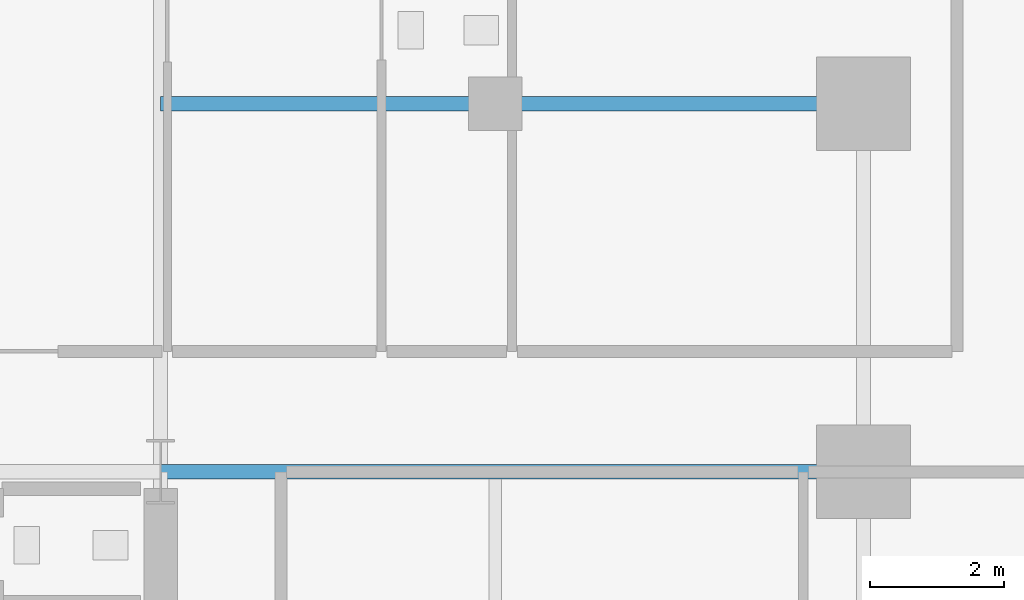
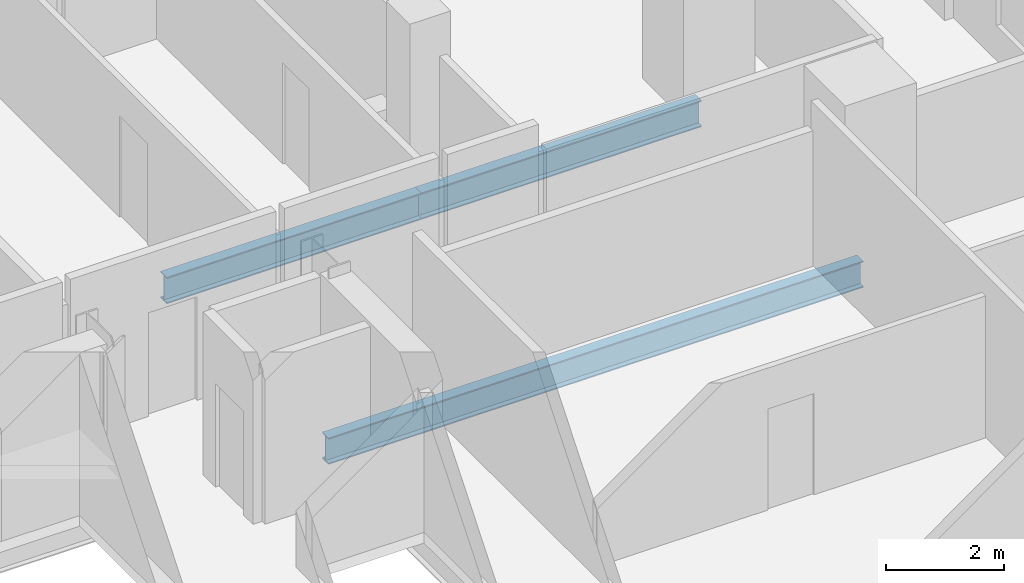
# One storey, part 14 of 23: 3 beams.
"""IFC4 building model written with IfcOpenShell, lengths in metres."""

import ifcopenshell
import ifcopenshell.guid

model = None  # the IFC model being written
_history = None  # IfcOwnerHistory: only IFC2X3 demands one
_inside = {}  # id of a spatial element -> (the spatial element, [elements in it])
_under = {}  # id of a project, library or spatial element -> (it, [spatial elements below it])
_declared = {}  # id of a project -> (the project, [libraries it declares])
_typed = {}  # id of a type object -> (the type object, [elements of that type])
_made_of = {}  # id of a material, layer set ... -> (it, [elements and type objects made of it])


def new_model(schema):
    """Start an empty IFC model of exactly this schema.

    Asked for "IFC4X3", IfcOpenShell would pick the latest addendum, in which some entities
    have other attributes; the version numbers below select the first issue.
    IFC2X3 requires an IfcOwnerHistory on every rooted entity: one is made here for all.
    """
    global model, _history
    if schema == "IFC4X3":
        model = ifcopenshell.file(schema_version=(4, 3, 0, 0))
    else:
        model = ifcopenshell.file(schema=schema)
    _inside.clear()
    _under.clear()
    _declared.clear()
    _typed.clear()
    _made_of.clear()
    _history = None
    if model.schema == "IFC2X3":
        org = make("IfcOrganization", Name="unknown")
        user = make(
            "IfcPersonAndOrganization",
            ThePerson=make("IfcPerson", FamilyName="unknown"),
            TheOrganization=org,
        )
        app = make(
            "IfcApplication",
            ApplicationDeveloper=org,
            Version="unknown",
            ApplicationFullName="unknown",
            ApplicationIdentifier="unknown",
        )
        _history = make(
            "IfcOwnerHistory",
            OwningUser=user,
            OwningApplication=app,
            ChangeAction="ADDED",
            CreationDate=0,
        )
    return model


def make(cls, **values):
    """One entity of the class cls with the attributes given. An attribute that is None is left unset."""
    return model.create_entity(
        cls, **{name: value for name, value in values.items() if value is not None}
    )


def rooted(cls, **values):
    """An entity with a GlobalId (a new one), such as an element, a storey or a relation."""
    return make(cls, GlobalId=ifcopenshell.guid.new(), OwnerHistory=_history, **values)


def si_unit(unit_type, name, prefix=None):
    """IfcSIUnit, for example si_unit("LENGTHUNIT", "METRE", prefix="MILLI")."""
    return make("IfcSIUnit", UnitType=unit_type, Prefix=prefix, Name=name)


def assignment(units):
    """IfcUnitAssignment: the units of a project."""
    return None if units is None else make("IfcUnitAssignment", Units=units)


def point(xyz):
    """IfcCartesianPoint."""
    return None if xyz is None else make("IfcCartesianPoint", Coordinates=xyz)


def direction(xyz):
    """IfcDirection."""
    return None if xyz is None else make("IfcDirection", DirectionRatios=xyz)


def frame(location, z_axis=None, x_axis=None):
    """IfcAxis2Placement3D, a coordinate frame: its origin and axes. An axis left out is left unset."""
    return make(
        "IfcAxis2Placement3D",
        Location=point(location),
        Axis=direction(z_axis),
        RefDirection=direction(x_axis),
    )


def frame_2d(location, x_axis=None):
    """IfcAxis2Placement2D, a coordinate frame in the plane: its origin and x axis."""
    return make(
        "IfcAxis2Placement2D", Location=point(location), RefDirection=direction(x_axis)
    )


def origin():
    """The frame at (0, 0, 0) with its axes left unset."""
    return frame((0.0, 0.0, 0.0))


def origin_2d():
    """The frame at (0, 0) in the plane with its x axis left unset."""
    return frame_2d((0.0, 0.0))


def place(relative_to, where):
    """IfcLocalPlacement: puts the frame where relative to a parent placement (None: the world)."""
    return make(
        "IfcLocalPlacement", PlacementRelTo=relative_to, RelativePlacement=where
    )


def context(
    kind, dimensions, precision=None, world=None, true_north=None, identifier=None
):
    """IfcGeometricRepresentationContext, for example the 3D "Model" context."""
    return make(
        "IfcGeometricRepresentationContext",
        ContextIdentifier=identifier,
        ContextType=kind,
        CoordinateSpaceDimension=dimensions,
        Precision=precision,
        WorldCoordinateSystem=world,
        TrueNorth=true_north,
    )


def subcontext(parent, identifier, kind, view, scale=None):
    """IfcGeometricRepresentationSubContext, for example "Body" below "Model"."""
    return make(
        "IfcGeometricRepresentationSubContext",
        ContextIdentifier=identifier,
        ContextType=kind,
        ParentContext=parent,
        TargetScale=scale,
        TargetView=view,
    )


def project(units=None, contexts=None):
    """IfcProject with its units and contexts."""
    return rooted(
        "IfcProject",
        Name="project",
        RepresentationContexts=contexts,
        UnitsInContext=assignment(units),
    )


def spatial(cls, under=None, at=None, **own):
    """A site, building, storey or space (cls), placed at a placement, below another one or the project."""
    s = rooted(cls, ObjectPlacement=at, **own)
    if under is not None:
        _under.setdefault(under.id(), (under, []))[1].append(s)
    return s


def profile(cls, at=None, kind="AREA", **sizes):
    """A parametric profile (cls). Its sizes go by their IFC names, for example OverallWidth=200.0."""
    return make(cls, ProfileType=kind, Position=at, **sizes)


def i_section(**sizes):
    """IfcIShapeProfileDef."""
    return profile("IfcIShapeProfileDef", **sizes)


def extrude(swept, where, along, depth):
    """IfcExtrudedAreaSolid: the profile swept, set in the frame where, extruded along a direction by depth."""
    return make(
        "IfcExtrudedAreaSolid",
        SweptArea=swept,
        Position=where,
        ExtrudedDirection=direction(along),
        Depth=depth,
    )


def shape(context_of_items, identifier, shape_type, items):
    """IfcShapeRepresentation: the items that make up one representation, for example the "Body"."""
    return make(
        "IfcShapeRepresentation",
        ContextOfItems=context_of_items,
        RepresentationIdentifier=identifier,
        RepresentationType=shape_type,
        Items=items,
    )


def material(Name=None, Category=None):
    """IfcMaterial."""
    return make("IfcMaterial", Name=Name, Category=Category)


def material_profile(
    of_material, cross_section, Name=None, Category=None, Priority=None
):
    """IfcMaterialProfile: a cross section and its material."""
    return make(
        "IfcMaterialProfile",
        Name=Name,
        Material=of_material,
        Profile=cross_section,
        Priority=Priority,
        Category=Category,
    )


def profile_set(profiles, Name=None, composite=None):
    """IfcMaterialProfileSet."""
    return make(
        "IfcMaterialProfileSet",
        Name=Name,
        MaterialProfiles=profiles,
        CompositeProfile=composite,
    )


def made_of(thing, what):
    """Note that an element or type object is made of a material, layer set ...; save() writes the relation."""
    if what is not None:
        _made_of.setdefault(what.id(), (what, []))[1].append(thing)
    return thing


def type_object(cls, material=None, **own):
    """A type object (cls), such as IfcWallType, which elements share."""
    return made_of(rooted(cls, **own), material)


def element(
    cls,
    number,
    at=None,
    inside=None,
    cuts=None,
    type_object=None,
    material=None,
    context=None,
    identifier="Body",
    shape_type=None,
    held_by="IfcProductDefinitionShape",
    body=None,
    shapes=None,
    **own,
):
    """One element of the class cls, such as IfcWall. Its Tag is "e" and its number.

    at: its placement. inside: the storey or other place that contains it. cuts: it is an
    opening in that element (IfcRelVoidsElement). A single representation is given by context,
    identifier, shape_type and body (its items); several are given by shapes. held_by: the class
    of the entity that holds the representations. save() writes the other relations.
    """
    e = rooted(cls, Tag="e%d" % number, ObjectPlacement=at, **own)
    if body is not None:
        shapes = [shape(context, identifier, shape_type, body)]
    if shapes is not None:
        e.Representation = make(held_by, Representations=shapes)
    if inside is not None:
        _inside.setdefault(inside.id(), (inside, []))[1].append(e)
    if cuts is not None:
        rooted(
            "IfcRelVoidsElement", RelatingBuildingElement=cuts, RelatedOpeningElement=e
        )
    if type_object is not None:
        _typed.setdefault(type_object.id(), (type_object, []))[1].append(e)
    return made_of(e, material)


def aggregate(whole, parts):
    """IfcRelAggregates: a whole, such as a stair, and the parts it consists of."""
    return rooted("IfcRelAggregates", RelatingObject=whole, RelatedObjects=parts)


def save(model, path):
    """Write the relations noted so far, then the file.

    IfcRelAggregates (storeys below a building ...), IfcRelContainedInSpatialStructure (elements
    in a storey), IfcRelDefinesByType, IfcRelAssociatesMaterial and IfcRelDeclares: one each for
    every whole, place, type object, material and project.
    """
    for whole, parts in _under.values():
        aggregate(whole, parts)
    for where, things in _inside.values():
        rooted(
            "IfcRelContainedInSpatialStructure",
            RelatedElements=things,
            RelatingStructure=where,
        )
    for kind, things in _typed.values():
        rooted("IfcRelDefinesByType", RelatedObjects=things, RelatingType=kind)
    for what, things in _made_of.values():
        rooted("IfcRelAssociatesMaterial", RelatedObjects=things, RelatingMaterial=what)
    for by, libraries in _declared.values():
        rooted("IfcRelDeclares", RelatingContext=by, RelatedDefinitions=libraries)
    model.write(path)


model = new_model("IFC4")

# Units and contexts
model_context = context("Model", 3, precision=1e-05, world=origin(), true_north=direction((0.0, 1.0)))
body_context = subcontext(model_context, "Body", "Model", "MODEL_VIEW")
ifc_project = project(units=[si_unit("LENGTHUNIT", "METRE"), si_unit("AREAUNIT", "SQUARE_METRE"), si_unit("VOLUMEUNIT", "CUBIC_METRE"), si_unit("PLANEANGLEUNIT", "RADIAN"), si_unit("MASSUNIT", "GRAM", prefix="KILO")], contexts=[model_context])

# Site, building, storey
site_placement = place(None, origin())
site = spatial("IfcSite", under=ifc_project, at=site_placement, CompositionType="ELEMENT")
building_placement = place(site_placement, origin())
building = spatial("IfcBuilding", under=site, at=building_placement, Name="Barlavira Tower and Art Museum", CompositionType="ELEMENT")
storey_placement = place(building_placement, frame((0.0, 0.0, 57.60009765625)))
storey = spatial("IfcBuildingStorey", under=building, at=storey_placement, Name="L13", CompositionType="ELEMENT", Elevation=57.60009765625)

# Beams
ifc_material = material(Name="Steel S355", Category="steel")
ifc_material_profile = material_profile(ifc_material, i_section(OverallWidth=0.214111328125, OverallDepth=0.549072265625, WebThickness=0.0146484375, FlangeThickness=0.023681640625, at=origin_2d()), Name="W530x138.0")
ifc_profile_set = profile_set([ifc_material_profile], Name="Steel S355")
beam_type = type_object("IfcBeamType", Name="Zone 1 Primary Floor Girder W530x138 Steel S355", PredefinedType="BEAM", material=ifc_profile_set)
beam_1_placement = place(storey_placement, frame((6.5, 7.5, -0.49462890625), z_axis=(1.0, 0.0, 0.0), x_axis=(0.0, 1.0, 0.0)))
element("IfcBeam", 1, at=beam_1_placement, inside=storey, type_object=beam_type, Name="L13 Girder R-E2", PredefinedType="BEAM", context=body_context, shape_type="SweptSolid", body=[
    extrude(i_section(OverallWidth=0.214111328125, OverallDepth=0.549072265625, WebThickness=0.0146484375, FlangeThickness=0.023681640625, at=origin_2d()), origin(), (0.0, 0.0, 1.0), 10.5),
])
beam_2_placement = place(storey_placement, frame((6.5, 13.0, -0.49462890625), z_axis=(1.0, 0.0, 0.0), x_axis=(0.0, 1.0, 0.0)))
element("IfcBeam", 2, at=beam_2_placement, inside=storey, type_object=beam_type, Name="L13 Girder I-N3", PredefinedType="BEAM", context=body_context, shape_type="SweptSolid", body=[
    extrude(i_section(OverallWidth=0.214111328125, OverallDepth=0.549072265625, WebThickness=0.0146484375, FlangeThickness=0.023681640625, at=origin_2d()), origin(), (0.0, 0.0, 1.0), 5.0),
])
beam_3_placement = place(storey_placement, frame((11.5, 13.0, -0.49462890625), z_axis=(1.0, 0.0, 0.0), x_axis=(0.0, 1.0, 0.0)))
element("IfcBeam", 3, at=beam_3_placement, inside=storey, type_object=beam_type, Name="L13 Girder I-N4", PredefinedType="BEAM", context=body_context, shape_type="SweptSolid", body=[
    extrude(i_section(OverallWidth=0.214111328125, OverallDepth=0.549072265625, WebThickness=0.0146484375, FlangeThickness=0.023681640625, at=origin_2d()), origin(), (0.0, 0.0, 1.0), 5.5),
])

save(model, "model.ifc")
